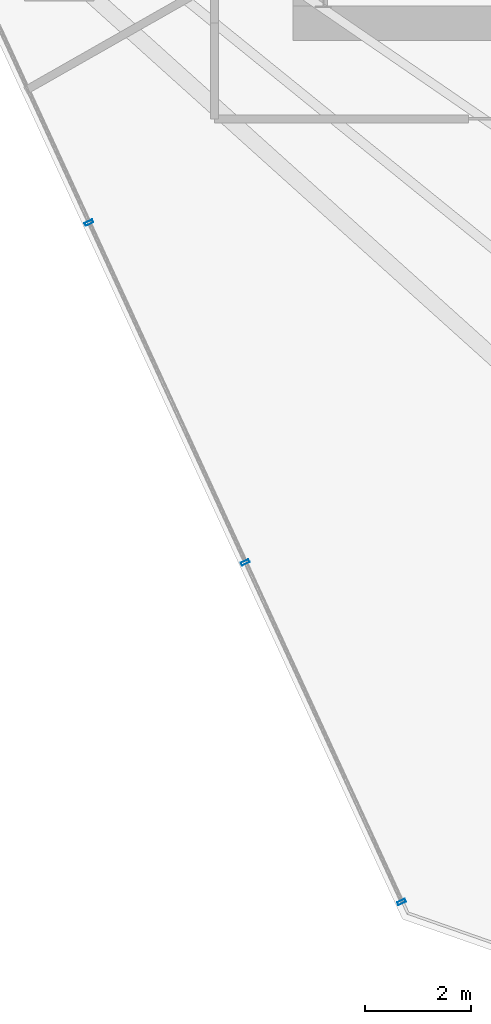
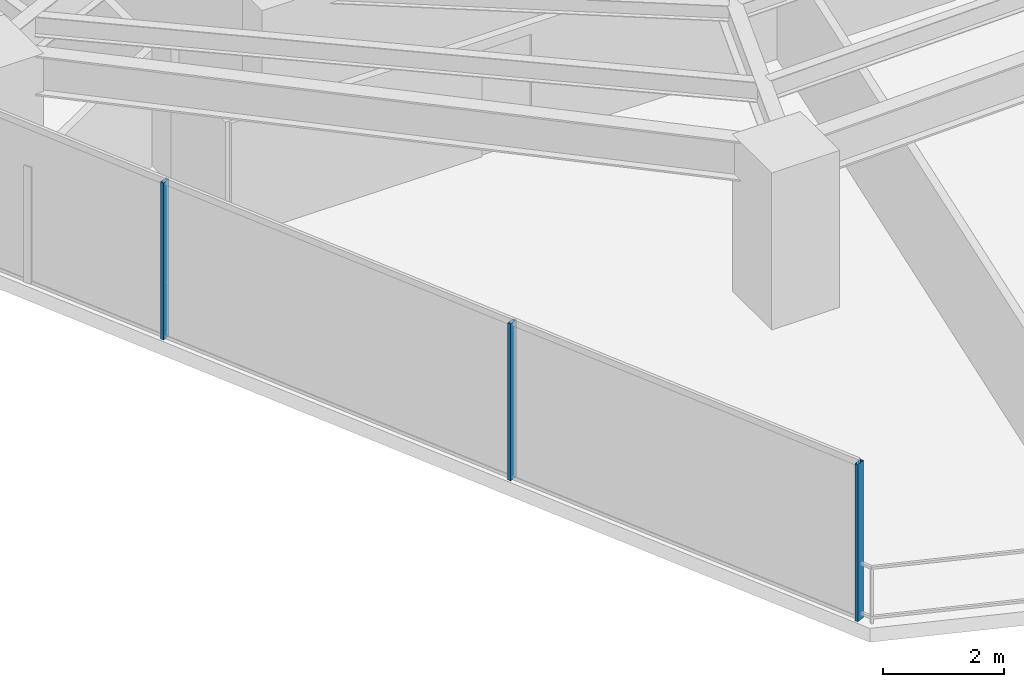
# One storey, part 3 of 30: 3 members, 1 element without a shape of its own.
"""IFC4 building model written with IfcOpenShell, lengths in metres."""

import ifcopenshell
import ifcopenshell.guid

model = None  # the IFC model being written
_history = None  # IfcOwnerHistory: only IFC2X3 demands one
_inside = {}  # id of a spatial element -> (the spatial element, [elements in it])
_under = {}  # id of a project, library or spatial element -> (it, [spatial elements below it])
_declared = {}  # id of a project -> (the project, [libraries it declares])
_typed = {}  # id of a type object -> (the type object, [elements of that type])
_made_of = {}  # id of a material, layer set ... -> (it, [elements and type objects made of it])


def new_model(schema):
    """Start an empty IFC model of exactly this schema.

    Asked for "IFC4X3", IfcOpenShell would pick the latest addendum, in which some entities
    have other attributes; the version numbers below select the first issue.
    IFC2X3 requires an IfcOwnerHistory on every rooted entity: one is made here for all.
    """
    global model, _history
    if schema == "IFC4X3":
        model = ifcopenshell.file(schema_version=(4, 3, 0, 0))
    else:
        model = ifcopenshell.file(schema=schema)
    _inside.clear()
    _under.clear()
    _declared.clear()
    _typed.clear()
    _made_of.clear()
    _history = None
    if model.schema == "IFC2X3":
        org = make("IfcOrganization", Name="unknown")
        user = make(
            "IfcPersonAndOrganization",
            ThePerson=make("IfcPerson", FamilyName="unknown"),
            TheOrganization=org,
        )
        app = make(
            "IfcApplication",
            ApplicationDeveloper=org,
            Version="unknown",
            ApplicationFullName="unknown",
            ApplicationIdentifier="unknown",
        )
        _history = make(
            "IfcOwnerHistory",
            OwningUser=user,
            OwningApplication=app,
            ChangeAction="ADDED",
            CreationDate=0,
        )
    return model


def make(cls, **values):
    """One entity of the class cls with the attributes given. An attribute that is None is left unset."""
    return model.create_entity(
        cls, **{name: value for name, value in values.items() if value is not None}
    )


def rooted(cls, **values):
    """An entity with a GlobalId (a new one), such as an element, a storey or a relation."""
    return make(cls, GlobalId=ifcopenshell.guid.new(), OwnerHistory=_history, **values)


def si_unit(unit_type, name, prefix=None):
    """IfcSIUnit, for example si_unit("LENGTHUNIT", "METRE", prefix="MILLI")."""
    return make("IfcSIUnit", UnitType=unit_type, Prefix=prefix, Name=name)


def assignment(units):
    """IfcUnitAssignment: the units of a project."""
    return None if units is None else make("IfcUnitAssignment", Units=units)


def point(xyz):
    """IfcCartesianPoint."""
    return None if xyz is None else make("IfcCartesianPoint", Coordinates=xyz)


def direction(xyz):
    """IfcDirection."""
    return None if xyz is None else make("IfcDirection", DirectionRatios=xyz)


def frame(location, z_axis=None, x_axis=None):
    """IfcAxis2Placement3D, a coordinate frame: its origin and axes. An axis left out is left unset."""
    return make(
        "IfcAxis2Placement3D",
        Location=point(location),
        Axis=direction(z_axis),
        RefDirection=direction(x_axis),
    )


def frame_2d(location, x_axis=None):
    """IfcAxis2Placement2D, a coordinate frame in the plane: its origin and x axis."""
    return make(
        "IfcAxis2Placement2D", Location=point(location), RefDirection=direction(x_axis)
    )


def origin():
    """The frame at (0, 0, 0) with its axes left unset."""
    return frame((0.0, 0.0, 0.0))


def origin_2d():
    """The frame at (0, 0) in the plane with its x axis left unset."""
    return frame_2d((0.0, 0.0))


def place(relative_to, where):
    """IfcLocalPlacement: puts the frame where relative to a parent placement (None: the world)."""
    return make(
        "IfcLocalPlacement", PlacementRelTo=relative_to, RelativePlacement=where
    )


def context(
    kind, dimensions, precision=None, world=None, true_north=None, identifier=None
):
    """IfcGeometricRepresentationContext, for example the 3D "Model" context."""
    return make(
        "IfcGeometricRepresentationContext",
        ContextIdentifier=identifier,
        ContextType=kind,
        CoordinateSpaceDimension=dimensions,
        Precision=precision,
        WorldCoordinateSystem=world,
        TrueNorth=true_north,
    )


def subcontext(parent, identifier, kind, view, scale=None):
    """IfcGeometricRepresentationSubContext, for example "Body" below "Model"."""
    return make(
        "IfcGeometricRepresentationSubContext",
        ContextIdentifier=identifier,
        ContextType=kind,
        ParentContext=parent,
        TargetScale=scale,
        TargetView=view,
    )


def project(units=None, contexts=None):
    """IfcProject with its units and contexts."""
    return rooted(
        "IfcProject",
        Name="project",
        RepresentationContexts=contexts,
        UnitsInContext=assignment(units),
    )


def spatial(cls, under=None, at=None, **own):
    """A site, building, storey or space (cls), placed at a placement, below another one or the project."""
    s = rooted(cls, ObjectPlacement=at, **own)
    if under is not None:
        _under.setdefault(under.id(), (under, []))[1].append(s)
    return s


def profile(cls, at=None, kind="AREA", **sizes):
    """A parametric profile (cls). Its sizes go by their IFC names, for example OverallWidth=200.0."""
    return make(cls, ProfileType=kind, Position=at, **sizes)


def hollow_rectangle(**sizes):
    """IfcRectangleHollowProfileDef."""
    return profile("IfcRectangleHollowProfileDef", **sizes)


def extrude(swept, where, along, depth):
    """IfcExtrudedAreaSolid: the profile swept, set in the frame where, extruded along a direction by depth."""
    return make(
        "IfcExtrudedAreaSolid",
        SweptArea=swept,
        Position=where,
        ExtrudedDirection=direction(along),
        Depth=depth,
    )


def shape(context_of_items, identifier, shape_type, items):
    """IfcShapeRepresentation: the items that make up one representation, for example the "Body"."""
    return make(
        "IfcShapeRepresentation",
        ContextOfItems=context_of_items,
        RepresentationIdentifier=identifier,
        RepresentationType=shape_type,
        Items=items,
    )


def material(Name=None, Category=None):
    """IfcMaterial."""
    return make("IfcMaterial", Name=Name, Category=Category)


def layer(
    of_material, thickness, ventilated=None, Name=None, Category=None, Priority=None
):
    """IfcMaterialLayer: one layer of a wall or slab, of a material (None: an air gap)."""
    return make(
        "IfcMaterialLayer",
        Material=of_material,
        LayerThickness=thickness,
        IsVentilated=ventilated,
        Name=Name,
        Category=Category,
        Priority=Priority,
    )


def layer_set(layers, Name=None):
    """IfcMaterialLayerSet."""
    return make("IfcMaterialLayerSet", MaterialLayers=layers, LayerSetName=Name)


def material_profile(
    of_material, cross_section, Name=None, Category=None, Priority=None
):
    """IfcMaterialProfile: a cross section and its material."""
    return make(
        "IfcMaterialProfile",
        Name=Name,
        Material=of_material,
        Profile=cross_section,
        Priority=Priority,
        Category=Category,
    )


def profile_set(profiles, Name=None, composite=None):
    """IfcMaterialProfileSet."""
    return make(
        "IfcMaterialProfileSet",
        Name=Name,
        MaterialProfiles=profiles,
        CompositeProfile=composite,
    )


def made_of(thing, what):
    """Note that an element or type object is made of a material, layer set ...; save() writes the relation."""
    if what is not None:
        _made_of.setdefault(what.id(), (what, []))[1].append(thing)
    return thing


def type_object(cls, material=None, **own):
    """A type object (cls), such as IfcWallType, which elements share."""
    return made_of(rooted(cls, **own), material)


def element(
    cls,
    number,
    at=None,
    inside=None,
    cuts=None,
    type_object=None,
    material=None,
    context=None,
    identifier="Body",
    shape_type=None,
    held_by="IfcProductDefinitionShape",
    body=None,
    shapes=None,
    **own,
):
    """One element of the class cls, such as IfcWall. Its Tag is "e" and its number.

    at: its placement. inside: the storey or other place that contains it. cuts: it is an
    opening in that element (IfcRelVoidsElement). A single representation is given by context,
    identifier, shape_type and body (its items); several are given by shapes. held_by: the class
    of the entity that holds the representations. save() writes the other relations.
    """
    e = rooted(cls, Tag="e%d" % number, ObjectPlacement=at, **own)
    if body is not None:
        shapes = [shape(context, identifier, shape_type, body)]
    if shapes is not None:
        e.Representation = make(held_by, Representations=shapes)
    if inside is not None:
        _inside.setdefault(inside.id(), (inside, []))[1].append(e)
    if cuts is not None:
        rooted(
            "IfcRelVoidsElement", RelatingBuildingElement=cuts, RelatedOpeningElement=e
        )
    if type_object is not None:
        _typed.setdefault(type_object.id(), (type_object, []))[1].append(e)
    return made_of(e, material)


def aggregate(whole, parts):
    """IfcRelAggregates: a whole, such as a stair, and the parts it consists of."""
    return rooted("IfcRelAggregates", RelatingObject=whole, RelatedObjects=parts)


def save(model, path):
    """Write the relations noted so far, then the file.

    IfcRelAggregates (storeys below a building ...), IfcRelContainedInSpatialStructure (elements
    in a storey), IfcRelDefinesByType, IfcRelAssociatesMaterial and IfcRelDeclares: one each for
    every whole, place, type object, material and project.
    """
    for whole, parts in _under.values():
        aggregate(whole, parts)
    for where, things in _inside.values():
        rooted(
            "IfcRelContainedInSpatialStructure",
            RelatedElements=things,
            RelatingStructure=where,
        )
    for kind, things in _typed.values():
        rooted("IfcRelDefinesByType", RelatedObjects=things, RelatingType=kind)
    for what, things in _made_of.values():
        rooted("IfcRelAssociatesMaterial", RelatedObjects=things, RelatingMaterial=what)
    for by, libraries in _declared.values():
        rooted("IfcRelDeclares", RelatingContext=by, RelatedDefinitions=libraries)
    model.write(path)


model = new_model("IFC4")

# Units and contexts
model_context = context("Model", 3, precision=1e-05, world=origin(), true_north=direction((0.0, 1.0)))
body_context = subcontext(model_context, "Body", "Model", "MODEL_VIEW")
ifc_project = project(units=[si_unit("LENGTHUNIT", "METRE"), si_unit("AREAUNIT", "SQUARE_METRE"), si_unit("VOLUMEUNIT", "CUBIC_METRE"), si_unit("PLANEANGLEUNIT", "RADIAN"), si_unit("MASSUNIT", "GRAM", prefix="KILO")], contexts=[model_context])

# Site, building, storey
site_placement = place(None, origin())
site = spatial("IfcSite", under=ifc_project, at=site_placement, CompositionType="ELEMENT")
building_placement = place(site_placement, origin())
building = spatial("IfcBuilding", under=site, at=building_placement, Name="Qarnah Convention Tower", CompositionType="ELEMENT")
storey_placement = place(building_placement, frame((0.0, 0.0, 47.699951171875)))
storey = spatial("IfcBuildingStorey", under=building, at=storey_placement, Name="L11", CompositionType="ELEMENT", Elevation=47.699951171875)

# Curtain wall, members
ifc_material_1 = material(Name="Tempered Low-E dark glass", Category="glass")
ifc_layer = layer(ifc_material_1, 0.16796875)
ifc_layer_set = layer_set([ifc_layer], Name="Tempered Low-E dark glass")
curtain_wall_type = type_object("IfcCurtainWallType", Name="CWS-01", PredefinedType="NOTDEFINED", material=ifc_layer_set)
curtain_wall_placement = place(storey_placement, origin())
curtain_wall = element("IfcCurtainWall", 1, at=curtain_wall_placement, inside=storey, type_object=curtain_wall_type, Name="L11 unitised curtain wall CW-L11-F1", PredefinedType="NOTDEFINED")
ifc_material_2 = material(Name="Black anodised aluminium", Category="aluminium")
ifc_material_profile = material_profile(ifc_material_2, hollow_rectangle(XDim=0.06005859375, YDim=0.159912109375, WallThickness=0.00390625, at=origin_2d()), Name="MUL-60X160")
ifc_profile_set = profile_set([ifc_material_profile], Name="Black anodised aluminium")
member_type = type_object("IfcMemberType", Name="MUL-T1", PredefinedType="MULLION", material=ifc_profile_set)
member_1_placement = place(storey_placement, frame((28.52294921875, 2.068115234375, 0.0), z_axis=(0.0, 0.0, 1.0), x_axis=(-0.418208766781, 0.908350938453, 0.0)))
member_1 = element("IfcMember", 2, at=member_1_placement, type_object=member_type, Name="CW-L11-F1 mullion 1", PredefinedType="MULLION", context=body_context, shape_type="SweptSolid", body=[
    extrude(hollow_rectangle(XDim=0.06005859375, YDim=0.159912109375, WallThickness=0.00390625, at=origin_2d()), origin(), (0.0, 0.0, 1.0), 3.170166015625),
])
member_2_placement = place(storey_placement, frame((25.581298828125, 8.45751953125, 0.0), z_axis=(0.0, 0.0, 1.0), x_axis=(-0.418208766781, 0.908350938453, 0.0)))
member_2 = element("IfcMember", 3, at=member_2_placement, type_object=member_type, Name="CW-L11-F1 mullion 2", PredefinedType="MULLION", context=body_context, shape_type="SweptSolid", body=[
    extrude(hollow_rectangle(XDim=0.06005859375, YDim=0.159912109375, WallThickness=0.00390625, at=origin_2d()), origin(), (0.0, 0.0, 1.0), 3.170166015625),
])
member_3_placement = place(storey_placement, frame((22.639404296875, 14.84716796875, 0.0), z_axis=(0.0, 0.0, 1.0), x_axis=(-0.418208766781, 0.908350938453, 0.0)))
member_3 = element("IfcMember", 4, at=member_3_placement, type_object=member_type, Name="CW-L11-F1 mullion 3", PredefinedType="MULLION", context=body_context, shape_type="SweptSolid", body=[
    extrude(hollow_rectangle(XDim=0.06005859375, YDim=0.159912109375, WallThickness=0.00390625, at=origin_2d()), origin(), (0.0, 0.0, 1.0), 3.170166015625),
])
aggregate(curtain_wall, [member_1, member_2, member_3])

save(model, "model.ifc")
